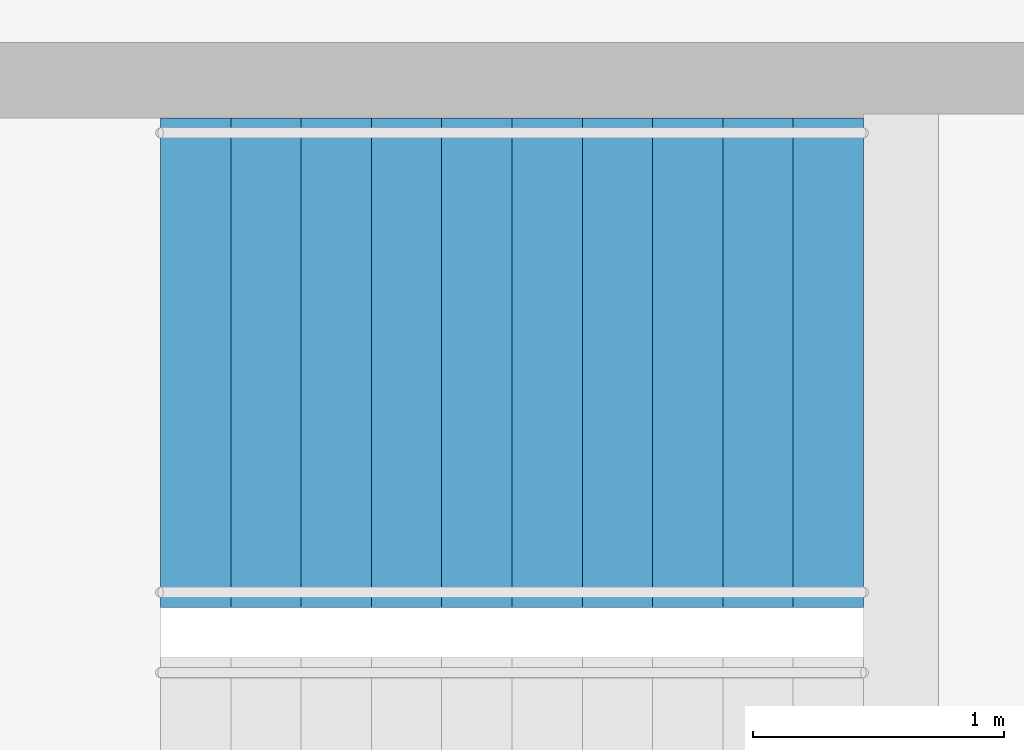
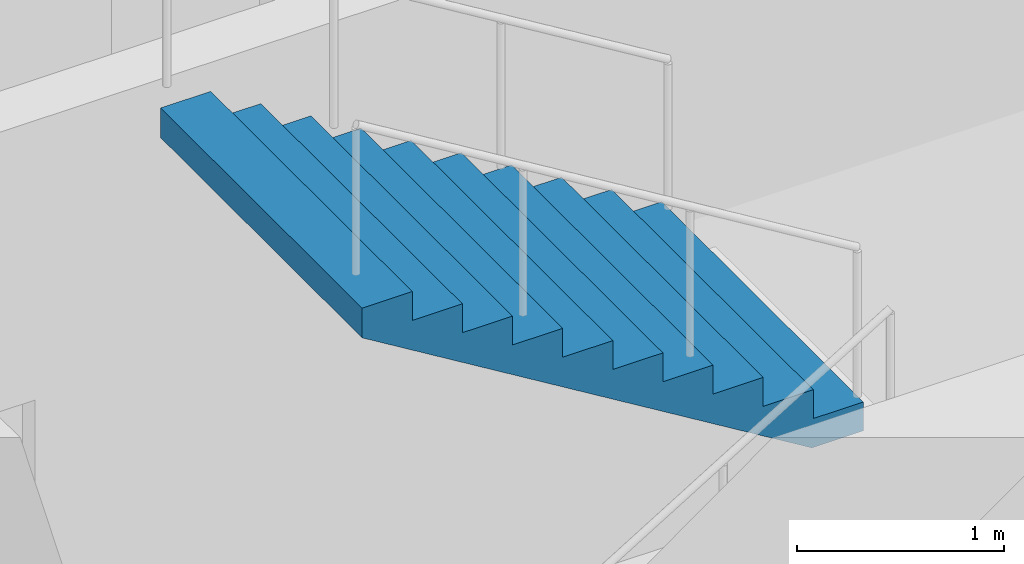
# One storey, part 21 of 26: 1 stair flight, 1 element without a shape of its own.
"""IFC4 building model written with IfcOpenShell, lengths in metres."""

import ifcopenshell
import ifcopenshell.guid

model = None  # the IFC model being written
_history = None  # IfcOwnerHistory: only IFC2X3 demands one
_inside = {}  # id of a spatial element -> (the spatial element, [elements in it])
_under = {}  # id of a project, library or spatial element -> (it, [spatial elements below it])
_declared = {}  # id of a project -> (the project, [libraries it declares])
_typed = {}  # id of a type object -> (the type object, [elements of that type])
_made_of = {}  # id of a material, layer set ... -> (it, [elements and type objects made of it])


def new_model(schema):
    """Start an empty IFC model of exactly this schema.

    Asked for "IFC4X3", IfcOpenShell would pick the latest addendum, in which some entities
    have other attributes; the version numbers below select the first issue.
    IFC2X3 requires an IfcOwnerHistory on every rooted entity: one is made here for all.
    """
    global model, _history
    if schema == "IFC4X3":
        model = ifcopenshell.file(schema_version=(4, 3, 0, 0))
    else:
        model = ifcopenshell.file(schema=schema)
    _inside.clear()
    _under.clear()
    _declared.clear()
    _typed.clear()
    _made_of.clear()
    _history = None
    if model.schema == "IFC2X3":
        org = make("IfcOrganization", Name="unknown")
        user = make(
            "IfcPersonAndOrganization",
            ThePerson=make("IfcPerson", FamilyName="unknown"),
            TheOrganization=org,
        )
        app = make(
            "IfcApplication",
            ApplicationDeveloper=org,
            Version="unknown",
            ApplicationFullName="unknown",
            ApplicationIdentifier="unknown",
        )
        _history = make(
            "IfcOwnerHistory",
            OwningUser=user,
            OwningApplication=app,
            ChangeAction="ADDED",
            CreationDate=0,
        )
    return model


def make(cls, **values):
    """One entity of the class cls with the attributes given. An attribute that is None is left unset."""
    return model.create_entity(
        cls, **{name: value for name, value in values.items() if value is not None}
    )


def rooted(cls, **values):
    """An entity with a GlobalId (a new one), such as an element, a storey or a relation."""
    return make(cls, GlobalId=ifcopenshell.guid.new(), OwnerHistory=_history, **values)


def si_unit(unit_type, name, prefix=None):
    """IfcSIUnit, for example si_unit("LENGTHUNIT", "METRE", prefix="MILLI")."""
    return make("IfcSIUnit", UnitType=unit_type, Prefix=prefix, Name=name)


def assignment(units):
    """IfcUnitAssignment: the units of a project."""
    return None if units is None else make("IfcUnitAssignment", Units=units)


def point(xyz):
    """IfcCartesianPoint."""
    return None if xyz is None else make("IfcCartesianPoint", Coordinates=xyz)


def direction(xyz):
    """IfcDirection."""
    return None if xyz is None else make("IfcDirection", DirectionRatios=xyz)


def frame(location, z_axis=None, x_axis=None):
    """IfcAxis2Placement3D, a coordinate frame: its origin and axes. An axis left out is left unset."""
    return make(
        "IfcAxis2Placement3D",
        Location=point(location),
        Axis=direction(z_axis),
        RefDirection=direction(x_axis),
    )


def origin():
    """The frame at (0, 0, 0) with its axes left unset."""
    return frame((0.0, 0.0, 0.0))


def place(relative_to, where):
    """IfcLocalPlacement: puts the frame where relative to a parent placement (None: the world)."""
    return make(
        "IfcLocalPlacement", PlacementRelTo=relative_to, RelativePlacement=where
    )


def context(
    kind, dimensions, precision=None, world=None, true_north=None, identifier=None
):
    """IfcGeometricRepresentationContext, for example the 3D "Model" context."""
    return make(
        "IfcGeometricRepresentationContext",
        ContextIdentifier=identifier,
        ContextType=kind,
        CoordinateSpaceDimension=dimensions,
        Precision=precision,
        WorldCoordinateSystem=world,
        TrueNorth=true_north,
    )


def subcontext(parent, identifier, kind, view, scale=None):
    """IfcGeometricRepresentationSubContext, for example "Body" below "Model"."""
    return make(
        "IfcGeometricRepresentationSubContext",
        ContextIdentifier=identifier,
        ContextType=kind,
        ParentContext=parent,
        TargetScale=scale,
        TargetView=view,
    )


def project(units=None, contexts=None):
    """IfcProject with its units and contexts."""
    return rooted(
        "IfcProject",
        Name="project",
        RepresentationContexts=contexts,
        UnitsInContext=assignment(units),
    )


def spatial(cls, under=None, at=None, **own):
    """A site, building, storey or space (cls), placed at a placement, below another one or the project."""
    s = rooted(cls, ObjectPlacement=at, **own)
    if under is not None:
        _under.setdefault(under.id(), (under, []))[1].append(s)
    return s


def point_list(points):
    """IfcCartesianPointList2D or 3D."""
    cls = (
        "IfcCartesianPointList2D" if len(points[0]) == 2 else "IfcCartesianPointList3D"
    )
    return make(cls, CoordList=points)


def triangles(points, corners, closed=None, point_numbers=None):
    """IfcTriangulatedFaceSet: each triangle names its three corners, points numbered from 1."""
    return make(
        "IfcTriangulatedFaceSet",
        Coordinates=point_list(points),
        Closed=closed,
        CoordIndex=corners,
        PnIndex=point_numbers,
    )


def shape(context_of_items, identifier, shape_type, items):
    """IfcShapeRepresentation: the items that make up one representation, for example the "Body"."""
    return make(
        "IfcShapeRepresentation",
        ContextOfItems=context_of_items,
        RepresentationIdentifier=identifier,
        RepresentationType=shape_type,
        Items=items,
    )


def material(Name=None, Category=None):
    """IfcMaterial."""
    return make("IfcMaterial", Name=Name, Category=Category)


def made_of(thing, what):
    """Note that an element or type object is made of a material, layer set ...; save() writes the relation."""
    if what is not None:
        _made_of.setdefault(what.id(), (what, []))[1].append(thing)
    return thing


def type_object(cls, material=None, **own):
    """A type object (cls), such as IfcWallType, which elements share."""
    return made_of(rooted(cls, **own), material)


def element(
    cls,
    number,
    at=None,
    inside=None,
    cuts=None,
    type_object=None,
    material=None,
    context=None,
    identifier="Body",
    shape_type=None,
    held_by="IfcProductDefinitionShape",
    body=None,
    shapes=None,
    **own,
):
    """One element of the class cls, such as IfcWall. Its Tag is "e" and its number.

    at: its placement. inside: the storey or other place that contains it. cuts: it is an
    opening in that element (IfcRelVoidsElement). A single representation is given by context,
    identifier, shape_type and body (its items); several are given by shapes. held_by: the class
    of the entity that holds the representations. save() writes the other relations.
    """
    e = rooted(cls, Tag="e%d" % number, ObjectPlacement=at, **own)
    if body is not None:
        shapes = [shape(context, identifier, shape_type, body)]
    if shapes is not None:
        e.Representation = make(held_by, Representations=shapes)
    if inside is not None:
        _inside.setdefault(inside.id(), (inside, []))[1].append(e)
    if cuts is not None:
        rooted(
            "IfcRelVoidsElement", RelatingBuildingElement=cuts, RelatedOpeningElement=e
        )
    if type_object is not None:
        _typed.setdefault(type_object.id(), (type_object, []))[1].append(e)
    return made_of(e, material)


def aggregate(whole, parts):
    """IfcRelAggregates: a whole, such as a stair, and the parts it consists of."""
    return rooted("IfcRelAggregates", RelatingObject=whole, RelatedObjects=parts)


def save(model, path):
    """Write the relations noted so far, then the file.

    IfcRelAggregates (storeys below a building ...), IfcRelContainedInSpatialStructure (elements
    in a storey), IfcRelDefinesByType, IfcRelAssociatesMaterial and IfcRelDeclares: one each for
    every whole, place, type object, material and project.
    """
    for whole, parts in _under.values():
        aggregate(whole, parts)
    for where, things in _inside.values():
        rooted(
            "IfcRelContainedInSpatialStructure",
            RelatedElements=things,
            RelatingStructure=where,
        )
    for kind, things in _typed.values():
        rooted("IfcRelDefinesByType", RelatedObjects=things, RelatingType=kind)
    for what, things in _made_of.values():
        rooted("IfcRelAssociatesMaterial", RelatedObjects=things, RelatingMaterial=what)
    for by, libraries in _declared.values():
        rooted("IfcRelDeclares", RelatingContext=by, RelatedDefinitions=libraries)
    model.write(path)


model = new_model("IFC4")

# Units and contexts
model_context = context("Model", 3, precision=1e-05, world=origin(), true_north=direction((0.0, 1.0)))
body_context = subcontext(model_context, "Body", "Model", "MODEL_VIEW")
ifc_project = project(units=[si_unit("LENGTHUNIT", "METRE"), si_unit("AREAUNIT", "SQUARE_METRE"), si_unit("VOLUMEUNIT", "CUBIC_METRE"), si_unit("PLANEANGLEUNIT", "RADIAN"), si_unit("MASSUNIT", "GRAM", prefix="KILO")], contexts=[model_context])

# Site, building, storey
site_placement = place(None, origin())
site = spatial("IfcSite", under=ifc_project, at=site_placement, CompositionType="ELEMENT")
building_placement = place(site_placement, origin())
building = spatial("IfcBuilding", under=site, at=building_placement, Name="Orbita Commons", CompositionType="ELEMENT")
storey_placement = place(building_placement, frame((0.0, 0.0, 231.550048828125)))
storey = spatial("IfcBuildingStorey", under=building, at=storey_placement, Name="L57", CompositionType="ELEMENT", Elevation=231.550048828125)

# Stair, stair flight
ifc_material_1 = material(Name="Precast concrete C40/50", Category="concrete")
stair_type = type_object("IfcStairType", Name="Exit stair S1 2 flights 11 risers 170", PredefinedType="HALF_TURN_STAIR", material=ifc_material_1)
stair_placement = place(storey_placement, origin())
stair = element("IfcStair", 1, at=stair_placement, inside=storey, type_object=stair_type, Name="Exit stair S1 L57", PredefinedType="HALF_TURN_STAIR")
ifc_material_2 = material(Name="Precast concrete C40/50", Category="concrete")
stair_flight_type = type_object("IfcStairFlightType", Name="Stair flight 11 risers 170 x 280", PredefinedType="STRAIGHT", material=ifc_material_2)
stair_flight_placement = place(storey_placement, frame((23.25, 29.27490234375, 1.875), z_axis=(0.0, 0.0, 1.0), x_axis=(-1.0, 0.0, 0.0)))
stair_flight = element("IfcStairFlight", 2, at=stair_flight_placement, type_object=stair_flight_type, Name="S1 flight 2", NumberOfRisers=11, NumberOfTreads=10, PredefinedType="STRAIGHT", RiserHeight=0.170454545, TreadLength=0.28, context=body_context, shape_type="Tessellation", body=[
    triangles([(0.0, 0.974976, 0.0), (0.0, 0.974976, 0.021307), (0.0, 0.81248, 0.021307), (0.0, 0.81248, 0.0), (0.0, 0.649984, 0.021307), (0.0, 0.649984, 0.0), (0.0, 0.487488, 0.021307), (0.0, 0.487488, 0.0), (0.0, 0.324992, 0.021307), (0.0, 0.324992, 0.0), (0.0, 0.162496, 0.021307), (0.0, 0.162496, 0.0), (0.0, 0.0, 0.021307), (0.0, 0.0, 0.0), (0.0, -0.162496, 0.021307), (0.0, -0.162496, 0.0), (0.0, -0.324992, 0.021307), (0.0, -0.324992, 0.0), (0.0, -0.487488, 0.021307), (0.0, -0.487488, 0.0), (0.0, -0.649984, 0.021307), (0.0, -0.649984, 0.0), (0.0, -0.81248, 0.021307), (0.0, -0.81248, 0.0), (0.0, -0.974976, 0.021307), (0.0, -0.974976, 0.0), (0.0, 0.974976, 0.042614), (0.0, 0.81248, 0.042614), (0.0, 0.649984, 0.042614), (0.0, 0.487488, 0.042614), (0.0, 0.324992, 0.042614), (0.0, 0.162496, 0.042614), (0.0, 0.0, 0.042614), (0.0, -0.162496, 0.042614), (0.0, -0.324992, 0.042614), (0.0, -0.487488, 0.042614), (0.0, -0.649984, 0.042614), (0.0, -0.81248, 0.042614), (0.0, -0.974976, 0.042614), (0.0, 0.974976, 0.06392), (0.0, 0.81248, 0.06392), (0.0, 0.649984, 0.06392), (0.0, 0.487488, 0.06392), (0.0, 0.324992, 0.06392), (0.0, 0.162496, 0.06392), (0.0, 0.0, 0.06392), (0.0, -0.162496, 0.06392), (0.0, -0.324992, 0.06392), (0.0, -0.487488, 0.06392), (0.0, -0.649984, 0.06392), (0.0, -0.81248, 0.06392), (0.0, -0.974976, 0.06392), (0.0, 0.974976, 0.085227), (0.0, 0.81248, 0.085227), (0.0, 0.649984, 0.085227), (0.0, 0.487488, 0.085227), (0.0, 0.324992, 0.085227), (0.0, 0.162496, 0.085227), (0.0, 0.0, 0.085227), (0.0, -0.162496, 0.085227), (0.0, -0.324992, 0.085227), (0.0, -0.487488, 0.085227), (0.0, -0.649984, 0.085227), (0.0, -0.81248, 0.085227), (0.0, -0.974976, 0.085227), (0.0, 0.974976, 0.106534), (0.0, 0.81248, 0.106534), (0.0, 0.649984, 0.106534), (0.0, 0.487488, 0.106534), (0.0, 0.324992, 0.106534), (0.0, 0.162496, 0.106534), (0.0, 0.0, 0.106534), (0.0, -0.162496, 0.106534), (0.0, -0.324992, 0.106534), (0.0, -0.487488, 0.106534), (0.0, -0.649984, 0.106534), (0.0, -0.81248, 0.106534), (0.0, -0.974976, 0.106534), (0.0, 0.974976, 0.127841), (0.0, 0.81248, 0.127841), (0.0, 0.649984, 0.127841), (0.0, 0.487488, 0.127841), (0.0, 0.324992, 0.127841), (0.0, 0.162496, 0.127841), (0.0, 0.0, 0.127841), (0.0, -0.162496, 0.127841), (0.0, -0.324992, 0.127841), (0.0, -0.487488, 0.127841), (0.0, -0.649984, 0.127841), (0.0, -0.81248, 0.127841), (0.0, -0.974976, 0.127841), (0.0, 0.974976, 0.149148), (0.0, 0.81248, 0.149148), (0.0, 0.649984, 0.149148), (0.0, 0.487488, 0.149148), (0.0, 0.324992, 0.149148), (0.0, 0.162496, 0.149148), (0.0, 0.0, 0.149148), (0.0, -0.162496, 0.149148), (0.0, -0.324992, 0.149148), (0.0, -0.487488, 0.149148), (0.0, -0.649984, 0.149148), (0.0, -0.81248, 0.149148), (0.0, -0.974976, 0.149148), (0.0, 0.974976, 0.170455), (0.0, 0.81248, 0.170455), (0.0, 0.649984, 0.170455), (0.0, 0.487488, 0.170455), (0.0, 0.324992, 0.170455), (0.0, 0.162496, 0.170455), (0.0, 0.0, 0.170455), (0.0, -0.162496, 0.170455), (0.0, -0.324992, 0.170455), (0.0, -0.487488, 0.170455), (0.0, -0.649984, 0.170455), (0.0, -0.81248, 0.170455), (0.0, -0.974976, 0.170455), (0.28, 0.974976, 0.170455), (0.28, 0.81248, 0.170455), (0.28, 0.649984, 0.170455), (0.28, 0.487488, 0.170455), (0.28, 0.324992, 0.170455), (0.28, 0.162496, 0.170455), (0.28, 0.0, 0.170455), (0.28, -0.162496, 0.170455), (0.28, -0.324992, 0.170455), (0.28, -0.487488, 0.170455), (0.28, -0.649984, 0.170455), (0.28, -0.81248, 0.170455), (0.28, -0.974976, 0.170455), (0.28, 0.974976, 0.340909), (0.28, 0.81248, 0.340909), (0.28, 0.649984, 0.340909), (0.28, 0.487488, 0.340909), (0.28, 0.324992, 0.340909), (0.28, 0.162496, 0.340909), (0.28, 0.0, 0.340909), (0.28, -0.162496, 0.340909), (0.28, -0.324992, 0.340909), (0.28, -0.487488, 0.340909), (0.28, -0.649984, 0.340909), (0.28, -0.81248, 0.340909), (0.28, -0.974976, 0.340909), (0.56, 0.974976, 0.340909), (0.56, 0.81248, 0.340909), (0.56, 0.649984, 0.340909), (0.56, 0.487488, 0.340909), (0.56, 0.324992, 0.340909), (0.56, 0.162496, 0.340909), (0.56, 0.0, 0.340909), (0.56, -0.162496, 0.340909), (0.56, -0.324992, 0.340909), (0.56, -0.487488, 0.340909), (0.56, -0.649984, 0.340909), (0.56, -0.81248, 0.340909), (0.56, -0.974976, 0.340909), (0.56, 0.974976, 0.511364), (0.56, 0.81248, 0.511364), (0.56, 0.649984, 0.511364), (0.56, 0.487488, 0.511364), (0.56, 0.324992, 0.511364), (0.56, 0.162496, 0.511364), (0.56, 0.0, 0.511364), (0.56, -0.162496, 0.511364), (0.56, -0.324992, 0.511364), (0.56, -0.487488, 0.511364), (0.56, -0.649984, 0.511364), (0.56, -0.81248, 0.511364), (0.56, -0.974976, 0.511364), (0.84, 0.974976, 0.511364), (0.84, 0.81248, 0.511364), (0.84, 0.649984, 0.511364), (0.84, 0.487488, 0.511364), (0.84, 0.324992, 0.511364), (0.84, 0.162496, 0.511364), (0.84, 0.0, 0.511364), (0.84, -0.162496, 0.511364), (0.84, -0.324992, 0.511364), (0.84, -0.487488, 0.511364), (0.84, -0.649984, 0.511364), (0.84, -0.81248, 0.511364), (0.84, -0.974976, 0.511364), (0.84, 0.974976, 0.681818), (0.84, 0.81248, 0.681818), (0.84, 0.649984, 0.681818), (0.84, 0.487488, 0.681818), (0.84, 0.324992, 0.681818), (0.84, 0.162496, 0.681818), (0.84, 0.0, 0.681818), (0.84, -0.162496, 0.681818), (0.84, -0.324992, 0.681818), (0.84, -0.487488, 0.681818), (0.84, -0.649984, 0.681818), (0.84, -0.81248, 0.681818), (0.84, -0.974976, 0.681818), (1.12, 0.974976, 0.681818), (1.12, 0.81248, 0.681818), (1.12, 0.649984, 0.681818), (1.12, 0.487488, 0.681818), (1.12, 0.324992, 0.681818), (1.12, 0.162496, 0.681818), (1.12, 0.0, 0.681818), (1.12, -0.162496, 0.681818), (1.12, -0.324992, 0.681818), (1.12, -0.487488, 0.681818), (1.12, -0.649984, 0.681818), (1.12, -0.81248, 0.681818), (1.12, -0.974976, 0.681818), (1.12, 0.974976, 0.852273), (1.12, 0.81248, 0.852273), (1.12, 0.649984, 0.852273), (1.12, 0.487488, 0.852273), (1.12, 0.324992, 0.852273), (1.12, 0.162496, 0.852273), (1.12, 0.0, 0.852273), (1.12, -0.162496, 0.852273), (1.12, -0.324992, 0.852273), (1.12, -0.487488, 0.852273), (1.12, -0.649984, 0.852273), (1.12, -0.81248, 0.852273), (1.12, -0.974976, 0.852273), (1.4, 0.974976, 0.852273), (1.4, 0.81248, 0.852273), (1.4, 0.649984, 0.852273), (1.4, 0.487488, 0.852273), (1.4, 0.324992, 0.852273), (1.4, 0.162496, 0.852273), (1.4, 0.0, 0.852273), (1.4, -0.162496, 0.852273), (1.4, -0.324992, 0.852273), (1.4, -0.487488, 0.852273), (1.4, -0.649984, 0.852273), (1.4, -0.81248, 0.852273), (1.4, -0.974976, 0.852273), (1.4, 0.974976, 1.022727), (1.4, 0.81248, 1.022727), (1.4, 0.649984, 1.022727), (1.4, 0.487488, 1.022727), (1.4, 0.324992, 1.022727), (1.4, 0.162496, 1.022727), (1.4, 0.0, 1.022727), (1.4, -0.162496, 1.022727), (1.4, -0.324992, 1.022727), (1.4, -0.487488, 1.022727), (1.4, -0.649984, 1.022727), (1.4, -0.81248, 1.022727), (1.4, -0.974976, 1.022727), (1.68, 0.974976, 1.022727), (1.68, 0.81248, 1.022727), (1.68, 0.649984, 1.022727), (1.68, 0.487488, 1.022727), (1.68, 0.324992, 1.022727), (1.68, 0.162496, 1.022727), (1.68, 0.0, 1.022727), (1.68, -0.162496, 1.022727), (1.68, -0.324992, 1.022727), (1.68, -0.487488, 1.022727), (1.68, -0.649984, 1.022727), (1.68, -0.81248, 1.022727), (1.68, -0.974976, 1.022727), (1.68, 0.974976, 1.193182), (1.68, 0.81248, 1.193182), (1.68, 0.649984, 1.193182), (1.68, 0.487488, 1.193182), (1.68, 0.324992, 1.193182), (1.68, 0.162496, 1.193182), (1.68, 0.0, 1.193182), (1.68, -0.162496, 1.193182), (1.68, -0.324992, 1.193182), (1.68, -0.487488, 1.193182), (1.68, -0.649984, 1.193182), (1.68, -0.81248, 1.193182), (1.68, -0.974976, 1.193182), (1.96, 0.974976, 1.193182), (1.96, 0.81248, 1.193182), (1.96, 0.649984, 1.193182), (1.96, 0.487488, 1.193182), (1.96, 0.324992, 1.193182), (1.96, 0.162496, 1.193182), (1.96, 0.0, 1.193182), (1.96, -0.162496, 1.193182), (1.96, -0.324992, 1.193182), (1.96, -0.487488, 1.193182), (1.96, -0.649984, 1.193182), (1.96, -0.81248, 1.193182), (1.96, -0.974976, 1.193182), (1.96, 0.974976, 1.363636), (1.96, 0.81248, 1.363636), (1.96, 0.649984, 1.363636), (1.96, 0.487488, 1.363636), (1.96, 0.324992, 1.363636), (1.96, 0.162496, 1.363636), (1.96, 0.0, 1.363636), (1.96, -0.162496, 1.363636), (1.96, -0.324992, 1.363636), (1.96, -0.487488, 1.363636), (1.96, -0.649984, 1.363636), (1.96, -0.81248, 1.363636), (1.96, -0.974976, 1.363636), (2.24, 0.974976, 1.363636), (2.24, 0.81248, 1.363636), (2.24, 0.649984, 1.363636), (2.24, 0.487488, 1.363636), (2.24, 0.324992, 1.363636), (2.24, 0.162496, 1.363636), (2.24, 0.0, 1.363636), (2.24, -0.162496, 1.363636), (2.24, -0.324992, 1.363636), (2.24, -0.487488, 1.363636), (2.24, -0.649984, 1.363636), (2.24, -0.81248, 1.363636), (2.24, -0.974976, 1.363636), (2.24, 0.974976, 1.534091), (2.24, 0.81248, 1.534091), (2.24, 0.649984, 1.534091), (2.24, 0.487488, 1.534091), (2.24, 0.324992, 1.534091), (2.24, 0.162496, 1.534091), (2.24, 0.0, 1.534091), (2.24, -0.162496, 1.534091), (2.24, -0.324992, 1.534091), (2.24, -0.487488, 1.534091), (2.24, -0.649984, 1.534091), (2.24, -0.81248, 1.534091), (2.24, -0.974976, 1.534091), (2.52, 0.974976, 1.534091), (2.52, 0.81248, 1.534091), (2.52, 0.649984, 1.534091), (2.52, 0.487488, 1.534091), (2.52, 0.324992, 1.534091), (2.52, 0.162496, 1.534091), (2.52, 0.0, 1.534091), (2.52, -0.162496, 1.534091), (2.52, -0.324992, 1.534091), (2.52, -0.487488, 1.534091), (2.52, -0.649984, 1.534091), (2.52, -0.81248, 1.534091), (2.52, -0.974976, 1.534091), (2.52, 0.974976, 1.704545), (2.52, 0.81248, 1.704545), (2.52, 0.649984, 1.704545), (2.52, 0.487488, 1.704545), (2.52, 0.324992, 1.704545), (2.52, 0.162496, 1.704545), (2.52, 0.0, 1.704545), (2.52, -0.162496, 1.704545), (2.52, -0.324992, 1.704545), (2.52, -0.487488, 1.704545), (2.52, -0.649984, 1.704545), (2.52, -0.81248, 1.704545), (2.52, -0.974976, 1.704545), (2.8, 0.974976, 1.704545), (2.8, 0.81248, 1.704545), (2.8, 0.649984, 1.704545), (2.8, 0.487488, 1.704545), (2.8, 0.324992, 1.704545), (2.8, 0.162496, 1.704545), (2.8, 0.0, 1.704545), (2.8, -0.162496, 1.704545), (2.8, -0.324992, 1.704545), (2.8, -0.487488, 1.704545), (2.8, -0.649984, 1.704545), (2.8, -0.81248, 1.704545), (2.8, -0.974976, 1.704545), (2.8, 0.974976, 1.682609), (2.8, 0.81248, 1.682609), (2.8, 0.649984, 1.682609), (2.8, 0.487488, 1.682609), (2.8, 0.324992, 1.682609), (2.8, 0.162496, 1.682609), (2.8, 0.0, 1.682609), (2.8, -0.162496, 1.682609), (2.8, -0.324992, 1.682609), (2.8, -0.487488, 1.682609), (2.8, -0.649984, 1.682609), (2.8, -0.81248, 1.682609), (2.8, -0.974976, 1.682609), (2.8, 0.974976, 1.660672), (2.8, 0.81248, 1.660672), (2.8, 0.649984, 1.660672), (2.8, 0.487488, 1.660672), (2.8, 0.324992, 1.660672), (2.8, 0.162496, 1.660672), (2.8, 0.0, 1.660672), (2.8, -0.162496, 1.660672), (2.8, -0.324992, 1.660672), (2.8, -0.487488, 1.660672), (2.8, -0.649984, 1.660672), (2.8, -0.81248, 1.660672), (2.8, -0.974976, 1.660672), (2.8, 0.974976, 1.638735), (2.8, 0.81248, 1.638735), (2.8, 0.649984, 1.638735), (2.8, 0.487488, 1.638735), (2.8, 0.324992, 1.638735), (2.8, 0.162496, 1.638735), (2.8, 0.0, 1.638735), (2.8, -0.162496, 1.638735), (2.8, -0.324992, 1.638735), (2.8, -0.487488, 1.638735), (2.8, -0.649984, 1.638735), (2.8, -0.81248, 1.638735), (2.8, -0.974976, 1.638735), (2.8, 0.974976, 1.616798), (2.8, 0.81248, 1.616798), (2.8, 0.649984, 1.616798), (2.8, 0.487488, 1.616798), (2.8, 0.324992, 1.616798), (2.8, 0.162496, 1.616798), (2.8, 0.0, 1.616798), (2.8, -0.162496, 1.616798), (2.8, -0.324992, 1.616798), (2.8, -0.487488, 1.616798), (2.8, -0.649984, 1.616798), (2.8, -0.81248, 1.616798), (2.8, -0.974976, 1.616798), (2.8, 0.974976, 1.594861), (2.8, 0.81248, 1.594861), (2.8, 0.649984, 1.594861), (2.8, 0.487488, 1.594861), (2.8, 0.324992, 1.594861), (2.8, 0.162496, 1.594861), (2.8, 0.0, 1.594861), (2.8, -0.162496, 1.594861), (2.8, -0.324992, 1.594861), (2.8, -0.487488, 1.594861), (2.8, -0.649984, 1.594861), (2.8, -0.81248, 1.594861), (2.8, -0.974976, 1.594861), (2.8, 0.974976, 1.572925), (2.8, 0.81248, 1.572925), (2.8, 0.649984, 1.572925), (2.8, 0.487488, 1.572925), (2.8, 0.324992, 1.572925), (2.8, 0.162496, 1.572925), (2.8, 0.0, 1.572925), (2.8, -0.162496, 1.572925), (2.8, -0.324992, 1.572925), (2.8, -0.487488, 1.572925), (2.8, -0.649984, 1.572925), (2.8, -0.81248, 1.572925), (2.8, -0.974976, 1.572925), (2.8, 0.974976, 1.550988), (2.8, 0.81248, 1.550988), (2.8, 0.649984, 1.550988), (2.8, 0.487488, 1.550988), (2.8, 0.324992, 1.550988), (2.8, 0.162496, 1.550988), (2.8, 0.0, 1.550988), (2.8, -0.162496, 1.550988), (2.8, -0.324992, 1.550988), (2.8, -0.487488, 1.550988), (2.8, -0.649984, 1.550988), (2.8, -0.81248, 1.550988), (2.8, -0.974976, 1.550988), (2.8, 0.974976, 1.529051), (2.8, 0.81248, 1.529051), (2.8, 0.649984, 1.529051), (2.8, 0.487488, 1.529051), (2.8, 0.324992, 1.529051), (2.8, 0.162496, 1.529051), (2.8, 0.0, 1.529051), (2.8, -0.162496, 1.529051), (2.8, -0.324992, 1.529051), (2.8, -0.487488, 1.529051), (2.8, -0.649984, 1.529051), (2.8, -0.81248, 1.529051), (2.8, -0.974976, 1.529051), (0.288279, 0.974976, 0.0), (0.288279, 0.81248, 0.0), (0.288279, 0.649984, 0.0), (0.288279, 0.487488, 0.0), (0.288279, 0.324992, 0.0), (0.288279, 0.162496, 0.0), (0.288279, 0.0, 0.0), (0.288279, -0.162496, 0.0), (0.288279, -0.324992, 0.0), (0.288279, -0.487488, 0.0), (0.288279, -0.649984, 0.0), (0.288279, -0.81248, 0.0), (0.288279, -0.974976, 0.0)], [[3, 2, 1], [4, 3, 1], [5, 3, 4], [6, 5, 4], [7, 5, 6], [8, 7, 6], [9, 7, 8], [10, 9, 8], [11, 9, 10], [12, 11, 10], [13, 11, 12], [14, 13, 12], [15, 13, 14], [16, 15, 14], [17, 15, 16], [18, 17, 16], [19, 17, 18], [20, 19, 18], [21, 19, 20], [22, 21, 20], [23, 21, 22], [24, 23, 22], [25, 23, 24], [26, 25, 24], [28, 27, 2], [3, 28, 2], [29, 28, 3], [5, 29, 3], [30, 29, 5], [7, 30, 5], [31, 30, 7], [9, 31, 7], [32, 31, 9], [11, 32, 9], [33, 32, 11], [13, 33, 11], [34, 33, 13], [15, 34, 13], [35, 34, 15], [17, 35, 15], [36, 35, 17], [19, 36, 17], [37, 36, 19], [21, 37, 19], [38, 37, 21], [23, 38, 21], [39, 38, 23], [25, 39, 23], [41, 40, 27], [28, 41, 27], [42, 41, 28], [29, 42, 28], [43, 42, 29], [30, 43, 29], [44, 43, 30], [31, 44, 30], [45, 44, 31], [32, 45, 31], [46, 45, 32], [33, 46, 32], [47, 46, 33], [34, 47, 33], [48, 47, 34], [35, 48, 34], [49, 48, 35], [36, 49, 35], [50, 49, 36], [37, 50, 36], [51, 50, 37], [38, 51, 37], [52, 51, 38], [39, 52, 38], [54, 53, 40], [41, 54, 40], [55, 54, 41], [42, 55, 41], [56, 55, 42], [43, 56, 42], [57, 56, 43], [44, 57, 43], [58, 57, 44], [45, 58, 44], [59, 58, 45], [46, 59, 45], [60, 59, 46], [47, 60, 46], [61, 60, 47], [48, 61, 47], [62, 61, 48], [49, 62, 48], [63, 62, 49], [50, 63, 49], [64, 63, 50], [51, 64, 50], [65, 64, 51], [52, 65, 51], [67, 66, 53], [54, 67, 53], [68, 67, 54], [55, 68, 54], [69, 68, 55], [56, 69, 55], [70, 69, 56], [57, 70, 56], [71, 70, 57], [58, 71, 57], [72, 71, 58], [59, 72, 58], [73, 72, 59], [60, 73, 59], [74, 73, 60], [61, 74, 60], [75, 74, 61], [62, 75, 61], [76, 75, 62], [63, 76, 62], [77, 76, 63], [64, 77, 63], [78, 77, 64], [65, 78, 64], [80, 79, 66], [67, 80, 66], [81, 80, 67], [68, 81, 67], [82, 81, 68], [69, 82, 68], [83, 82, 69], [70, 83, 69], [84, 83, 70], [71, 84, 70], [85, 84, 71], [72, 85, 71], [86, 85, 72], [73, 86, 72], [87, 86, 73], [74, 87, 73], [88, 87, 74], [75, 88, 74], [89, 88, 75], [76, 89, 75], [90, 89, 76], [77, 90, 76], [91, 90, 77], [78, 91, 77], [93, 92, 79], [80, 93, 79], [94, 93, 80], [81, 94, 80], [95, 94, 81], [82, 95, 81], [96, 95, 82], [83, 96, 82], [97, 96, 83], [84, 97, 83], [98, 97, 84], [85, 98, 84], [99, 98, 85], [86, 99, 85], [100, 99, 86], [87, 100, 86], [101, 100, 87], [88, 101, 87], [102, 101, 88], [89, 102, 88], [103, 102, 89], [90, 103, 89], [104, 103, 90], [91, 104, 90], [106, 105, 92], [93, 106, 92], [107, 106, 93], [94, 107, 93], [108, 107, 94], [95, 108, 94], [109, 108, 95], [96, 109, 95], [110, 109, 96], [97, 110, 96], [111, 110, 97], [98, 111, 97], [112, 111, 98], [99, 112, 98], [113, 112, 99], [100, 113, 99], [114, 113, 100], [101, 114, 100], [115, 114, 101], [102, 115, 101], [116, 115, 102], [103, 116, 102], [117, 116, 103], [104, 117, 103], [119, 118, 105], [106, 119, 105], [120, 119, 106], [107, 120, 106], [121, 120, 107], [108, 121, 107], [122, 121, 108], [109, 122, 108], [123, 122, 109], [110, 123, 109], [124, 123, 110], [111, 124, 110], [125, 124, 111], [112, 125, 111], [126, 125, 112], [113, 126, 112], [127, 126, 113], [114, 127, 113], [128, 127, 114], [115, 128, 114], [129, 128, 115], [116, 129, 115], [130, 129, 116], [117, 130, 116], [132, 131, 118], [119, 132, 118], [133, 132, 119], [120, 133, 119], [134, 133, 120], [121, 134, 120], [135, 134, 121], [122, 135, 121], [136, 135, 122], [123, 136, 122], [137, 136, 123], [124, 137, 123], [138, 137, 124], [125, 138, 124], [139, 138, 125], [126, 139, 125], [140, 139, 126], [127, 140, 126], [141, 140, 127], [128, 141, 127], [142, 141, 128], [129, 142, 128], [143, 142, 129], [130, 143, 129], [145, 144, 131], [132, 145, 131], [146, 145, 132], [133, 146, 132], [147, 146, 133], [134, 147, 133], [148, 147, 134], [135, 148, 134], [149, 148, 135], [136, 149, 135], [150, 149, 136], [137, 150, 136], [151, 150, 137], [138, 151, 137], [152, 151, 138], [139, 152, 138], [153, 152, 139], [140, 153, 139], [154, 153, 140], [141, 154, 140], [155, 154, 141], [142, 155, 141], [156, 155, 142], [143, 156, 142], [158, 157, 144], [145, 158, 144], [159, 158, 145], [146, 159, 145], [160, 159, 146], [147, 160, 146], [161, 160, 147], [148, 161, 147], [162, 161, 148], [149, 162, 148], [163, 162, 149], [150, 163, 149], [164, 163, 150], [151, 164, 150], [165, 164, 151], [152, 165, 151], [166, 165, 152], [153, 166, 152], [167, 166, 153], [154, 167, 153], [168, 167, 154], [155, 168, 154], [169, 168, 155], [156, 169, 155], [171, 170, 157], [158, 171, 157], [172, 171, 158], [159, 172, 158], [173, 172, 159], [160, 173, 159], [174, 173, 160], [161, 174, 160], [175, 174, 161], [162, 175, 161], [176, 175, 162], [163, 176, 162], [177, 176, 163], [164, 177, 163], [178, 177, 164], [165, 178, 164], [179, 178, 165], [166, 179, 165], [180, 179, 166], [167, 180, 166], [181, 180, 167], [168, 181, 167], [182, 181, 168], [169, 182, 168], [184, 183, 170], [171, 184, 170], [185, 184, 171], [172, 185, 171], [186, 185, 172], [173, 186, 172], [187, 186, 173], [174, 187, 173], [188, 187, 174], [175, 188, 174], [189, 188, 175], [176, 189, 175], [190, 189, 176], [177, 190, 176], [191, 190, 177], [178, 191, 177], [192, 191, 178], [179, 192, 178], [193, 192, 179], [180, 193, 179], [194, 193, 180], [181, 194, 180], [195, 194, 181], [182, 195, 181], [197, 196, 183], [184, 197, 183], [198, 197, 184], [185, 198, 184], [199, 198, 185], [186, 199, 185], [200, 199, 186], [187, 200, 186], [201, 200, 187], [188, 201, 187], [202, 201, 188], [189, 202, 188], [203, 202, 189], [190, 203, 189], [204, 203, 190], [191, 204, 190], [205, 204, 191], [192, 205, 191], [206, 205, 192], [193, 206, 192], [207, 206, 193], [194, 207, 193], [208, 207, 194], [195, 208, 194], [210, 209, 196], [197, 210, 196], [211, 210, 197], [198, 211, 197], [212, 211, 198], [199, 212, 198], [213, 212, 199], [200, 213, 199], [214, 213, 200], [201, 214, 200], [215, 214, 201], [202, 215, 201], [216, 215, 202], [203, 216, 202], [217, 216, 203], [204, 217, 203], [218, 217, 204], [205, 218, 204], [219, 218, 205], [206, 219, 205], [220, 219, 206], [207, 220, 206], [221, 220, 207], [208, 221, 207], [223, 222, 209], [210, 223, 209], [224, 223, 210], [211, 224, 210], [225, 224, 211], [212, 225, 211], [226, 225, 212], [213, 226, 212], [227, 226, 213], [214, 227, 213], [228, 227, 214], [215, 228, 214], [229, 228, 215], [216, 229, 215], [230, 229, 216], [217, 230, 216], [231, 230, 217], [218, 231, 217], [232, 231, 218], [219, 232, 218], [233, 232, 219], [220, 233, 219], [234, 233, 220], [221, 234, 220], [236, 235, 222], [223, 236, 222], [237, 236, 223], [224, 237, 223], [238, 237, 224], [225, 238, 224], [239, 238, 225], [226, 239, 225], [240, 239, 226], [227, 240, 226], [241, 240, 227], [228, 241, 227], [242, 241, 228], [229, 242, 228], [243, 242, 229], [230, 243, 229], [244, 243, 230], [231, 244, 230], [245, 244, 231], [232, 245, 231], [246, 245, 232], [233, 246, 232], [247, 246, 233], [234, 247, 233], [249, 248, 235], [236, 249, 235], [250, 249, 236], [237, 250, 236], [251, 250, 237], [238, 251, 237], [252, 251, 238], [239, 252, 238], [253, 252, 239], [240, 253, 239], [254, 253, 240], [241, 254, 240], [255, 254, 241], [242, 255, 241], [256, 255, 242], [243, 256, 242], [257, 256, 243], [244, 257, 243], [258, 257, 244], [245, 258, 244], [259, 258, 245], [246, 259, 245], [260, 259, 246], [247, 260, 246], [262, 261, 248], [249, 262, 248], [263, 262, 249], [250, 263, 249], [264, 263, 250], [251, 264, 250], [265, 264, 251], [252, 265, 251], [266, 265, 252], [253, 266, 252], [267, 266, 253], [254, 267, 253], [268, 267, 254], [255, 268, 254], [269, 268, 255], [256, 269, 255], [270, 269, 256], [257, 270, 256], [271, 270, 257], [258, 271, 257], [272, 271, 258], [259, 272, 258], [273, 272, 259], [260, 273, 259], [275, 274, 261], [262, 275, 261], [276, 275, 262], [263, 276, 262], [277, 276, 263], [264, 277, 263], [278, 277, 264], [265, 278, 264], [279, 278, 265], [266, 279, 265], [280, 279, 266], [267, 280, 266], [281, 280, 267], [268, 281, 267], [282, 281, 268], [269, 282, 268], [283, 282, 269], [270, 283, 269], [284, 283, 270], [271, 284, 270], [285, 284, 271], [272, 285, 271], [286, 285, 272], [273, 286, 272], [288, 287, 274], [275, 288, 274], [289, 288, 275], [276, 289, 275], [290, 289, 276], [277, 290, 276], [291, 290, 277], [278, 291, 277], [292, 291, 278], [279, 292, 278], [293, 292, 279], [280, 293, 279], [294, 293, 280], [281, 294, 280], [295, 294, 281], [282, 295, 281], [296, 295, 282], [283, 296, 282], [297, 296, 283], [284, 297, 283], [298, 297, 284], [285, 298, 284], [299, 298, 285], [286, 299, 285], [301, 300, 287], [288, 301, 287], [302, 301, 288], [289, 302, 288], [303, 302, 289], [290, 303, 289], [304, 303, 290], [291, 304, 290], [305, 304, 291], [292, 305, 291], [306, 305, 292], [293, 306, 292], [307, 306, 293], [294, 307, 293], [308, 307, 294], [295, 308, 294], [309, 308, 295], [296, 309, 295], [310, 309, 296], [297, 310, 296], [311, 310, 297], [298, 311, 297], [312, 311, 298], [299, 312, 298], [314, 313, 300], [301, 314, 300], [315, 314, 301], [302, 315, 301], [316, 315, 302], [303, 316, 302], [317, 316, 303], [304, 317, 303], [318, 317, 304], [305, 318, 304], [319, 318, 305], [306, 319, 305], [320, 319, 306], [307, 320, 306], [321, 320, 307], [308, 321, 307], [322, 321, 308], [309, 322, 308], [323, 322, 309], [310, 323, 309], [324, 323, 310], [311, 324, 310], [325, 324, 311], [312, 325, 311], [327, 326, 313], [314, 327, 313], [328, 327, 314], [315, 328, 314], [329, 328, 315], [316, 329, 315], [330, 329, 316], [317, 330, 316], [331, 330, 317], [318, 331, 317], [332, 331, 318], [319, 332, 318], [333, 332, 319], [320, 333, 319], [334, 333, 320], [321, 334, 320], [335, 334, 321], [322, 335, 321], [336, 335, 322], [323, 336, 322], [337, 336, 323], [324, 337, 323], [338, 337, 324], [325, 338, 324], [340, 339, 326], [327, 340, 326], [341, 340, 327], [328, 341, 327], [342, 341, 328], [329, 342, 328], [343, 342, 329], [330, 343, 329], [344, 343, 330], [331, 344, 330], [345, 344, 331], [332, 345, 331], [346, 345, 332], [333, 346, 332], [347, 346, 333], [334, 347, 333], [348, 347, 334], [335, 348, 334], [349, 348, 335], [336, 349, 335], [350, 349, 336], [337, 350, 336], [351, 350, 337], [338, 351, 337], [353, 352, 339], [340, 353, 339], [354, 353, 340], [341, 354, 340], [355, 354, 341], [342, 355, 341], [356, 355, 342], [343, 356, 342], [357, 356, 343], [344, 357, 343], [358, 357, 344], [345, 358, 344], [359, 358, 345], [346, 359, 345], [360, 359, 346], [347, 360, 346], [361, 360, 347], [348, 361, 347], [362, 361, 348], [349, 362, 348], [363, 362, 349], [350, 363, 349], [364, 363, 350], [351, 364, 350], [366, 365, 352], [353, 366, 352], [367, 366, 353], [354, 367, 353], [368, 367, 354], [355, 368, 354], [369, 368, 355], [356, 369, 355], [370, 369, 356], [357, 370, 356], [371, 370, 357], [358, 371, 357], [372, 371, 358], [359, 372, 358], [373, 372, 359], [360, 373, 359], [374, 373, 360], [361, 374, 360], [375, 374, 361], [362, 375, 361], [376, 375, 362], [363, 376, 362], [377, 376, 363], [364, 377, 363], [379, 378, 365], [366, 379, 365], [380, 379, 366], [367, 380, 366], [381, 380, 367], [368, 381, 367], [382, 381, 368], [369, 382, 368], [383, 382, 369], [370, 383, 369], [384, 383, 370], [371, 384, 370], [385, 384, 371], [372, 385, 371], [386, 385, 372], [373, 386, 372], [387, 386, 373], [374, 387, 373], [388, 387, 374], [375, 388, 374], [389, 388, 375], [376, 389, 375], [390, 389, 376], [377, 390, 376], [392, 391, 378], [379, 392, 378], [393, 392, 379], [380, 393, 379], [394, 393, 380], [381, 394, 380], [395, 394, 381], [382, 395, 381], [396, 395, 382], [383, 396, 382], [397, 396, 383], [384, 397, 383], [398, 397, 384], [385, 398, 384], [399, 398, 385], [386, 399, 385], [400, 399, 386], [387, 400, 386], [401, 400, 387], [388, 401, 387], [402, 401, 388], [389, 402, 388], [403, 402, 389], [390, 403, 389], [405, 404, 391], [392, 405, 391], [406, 405, 392], [393, 406, 392], [407, 406, 393], [394, 407, 393], [408, 407, 394], [395, 408, 394], [409, 408, 395], [396, 409, 395], [410, 409, 396], [397, 410, 396], [411, 410, 397], [398, 411, 397], [412, 411, 398], [399, 412, 398], [413, 412, 399], [400, 413, 399], [414, 413, 400], [401, 414, 400], [415, 414, 401], [402, 415, 401], [416, 415, 402], [403, 416, 402], [418, 417, 404], [405, 418, 404], [419, 418, 405], [406, 419, 405], [420, 419, 406], [407, 420, 406], [421, 420, 407], [408, 421, 407], [422, 421, 408], [409, 422, 408], [423, 422, 409], [410, 423, 409], [424, 423, 410], [411, 424, 410], [425, 424, 411], [412, 425, 411], [426, 425, 412], [413, 426, 412], [427, 426, 413], [414, 427, 413], [428, 427, 414], [415, 428, 414], [429, 428, 415], [416, 429, 415], [431, 430, 417], [418, 431, 417], [432, 431, 418], [419, 432, 418], [433, 432, 419], [420, 433, 419], [434, 433, 420], [421, 434, 420], [435, 434, 421], [422, 435, 421], [436, 435, 422], [423, 436, 422], [437, 436, 423], [424, 437, 423], [438, 437, 424], [425, 438, 424], [439, 438, 425], [426, 439, 425], [440, 439, 426], [427, 440, 426], [441, 440, 427], [428, 441, 427], [442, 441, 428], [429, 442, 428], [444, 443, 430], [431, 444, 430], [445, 444, 431], [432, 445, 431], [446, 445, 432], [433, 446, 432], [447, 446, 433], [434, 447, 433], [448, 447, 434], [435, 448, 434], [449, 448, 435], [436, 449, 435], [450, 449, 436], [437, 450, 436], [451, 450, 437], [438, 451, 437], [452, 451, 438], [439, 452, 438], [453, 452, 439], [440, 453, 439], [454, 453, 440], [441, 454, 440], [455, 454, 441], [442, 455, 441], [457, 456, 443], [444, 457, 443], [458, 457, 444], [445, 458, 444], [459, 458, 445], [446, 459, 445], [460, 459, 446], [447, 460, 446], [461, 460, 447], [448, 461, 447], [462, 461, 448], [449, 462, 448], [463, 462, 449], [450, 463, 449], [464, 463, 450], [451, 464, 450], [465, 464, 451], [452, 465, 451], [466, 465, 452], [453, 466, 452], [467, 466, 453], [454, 467, 453], [468, 467, 454], [455, 468, 454], [470, 469, 456], [457, 470, 456], [471, 470, 457], [458, 471, 457], [472, 471, 458], [459, 472, 458], [473, 472, 459], [460, 473, 459], [474, 473, 460], [461, 474, 460], [475, 474, 461], [462, 475, 461], [476, 475, 462], [463, 476, 462], [477, 476, 463], [464, 477, 463], [478, 477, 464], [465, 478, 464], [479, 478, 465], [466, 479, 465], [480, 479, 466], [467, 480, 466], [481, 480, 467], [468, 481, 467], [4, 1, 469], [470, 4, 469], [6, 4, 470], [471, 6, 470], [8, 6, 471], [472, 8, 471], [10, 8, 472], [473, 10, 472], [12, 10, 473], [474, 12, 473], [14, 12, 474], [475, 14, 474], [16, 14, 475], [476, 16, 475], [18, 16, 476], [477, 18, 476], [20, 18, 477], [478, 20, 477], [22, 20, 478], [479, 22, 478], [24, 22, 479], [480, 24, 479], [26, 24, 480], [481, 26, 480], [456, 469, 1], [26, 481, 468], [443, 456, 1], [26, 468, 455], [430, 443, 1], [26, 455, 442], [417, 430, 1], [26, 442, 429], [404, 417, 1], [26, 429, 416], [391, 404, 1], [26, 416, 403], [378, 391, 1], [26, 403, 390], [365, 378, 1], [26, 390, 377], [339, 352, 365], [377, 364, 351], [326, 339, 365], [377, 351, 338], [300, 313, 326], [338, 325, 312], [300, 326, 365], [377, 338, 312], [274, 287, 300], [312, 299, 286], [274, 300, 365], [377, 312, 286], [248, 261, 274], [286, 273, 260], [248, 274, 365], [377, 286, 260], [222, 235, 248], [260, 247, 234], [222, 248, 365], [377, 260, 234], [196, 209, 222], [234, 221, 208], [196, 222, 365], [377, 234, 208], [170, 183, 196], [208, 195, 182], [170, 196, 365], [377, 208, 182], [144, 157, 170], [182, 169, 156], [144, 170, 365], [377, 182, 156], [118, 131, 144], [156, 143, 130], [118, 144, 365], [377, 156, 130], [118, 365, 1], [26, 377, 130], [92, 105, 118], [130, 117, 104], [79, 92, 118], [130, 104, 91], [66, 79, 118], [130, 91, 78], [53, 66, 118], [130, 78, 65], [40, 53, 118], [130, 65, 52], [27, 40, 118], [130, 52, 39], [2, 27, 118], [130, 39, 25], [1, 2, 118], [130, 25, 26]], closed=True),
])
aggregate(stair, [stair_flight])

save(model, "model.ifc")
